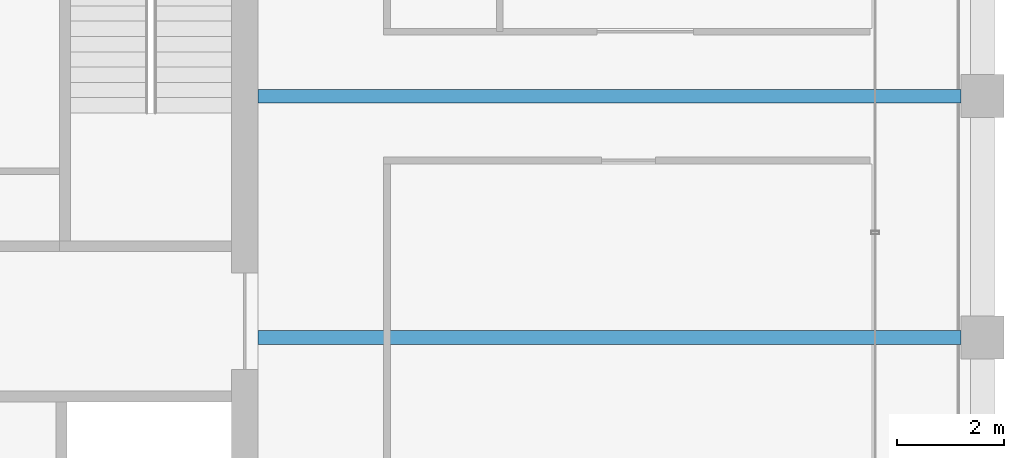
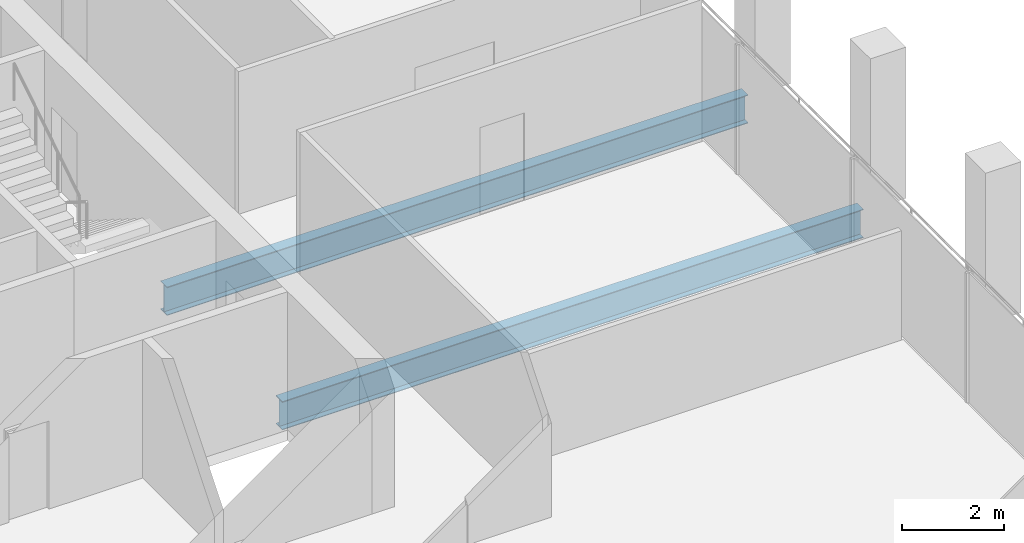
# One storey, part 16 of 30: 2 beams.
"""IFC4 building model written with IfcOpenShell, lengths in metres."""

from ifc_helpers import new_model, si_unit, direction, frame, origin, origin_2d, place, context, subcontext, project, spatial, i_section, extrude, material, material_profile, profile_set, type_object, element, save


model = new_model("IFC4")

# Units and contexts
model_context = context("Model", 3, precision=1e-05, world=origin(), true_north=direction((0.0, 1.0)))
body_context = subcontext(model_context, "Body", "Model", "MODEL_VIEW")
ifc_project = project(units=[si_unit("LENGTHUNIT", "METRE"), si_unit("AREAUNIT", "SQUARE_METRE"), si_unit("VOLUMEUNIT", "CUBIC_METRE"), si_unit("PLANEANGLEUNIT", "RADIAN"), si_unit("MASSUNIT", "GRAM", prefix="KILO")], contexts=[model_context])

# Site, building, storey
site_placement = place(None, origin())
site = spatial("IfcSite", under=ifc_project, at=site_placement, CompositionType="ELEMENT")
building_placement = place(site_placement, origin())
building = spatial("IfcBuilding", under=site, at=building_placement, Name="Altepetl Exchange Towers", CompositionType="ELEMENT")
storey_placement = place(building_placement, frame((0.0, 0.0, 242.39990234375)))
storey = spatial("IfcBuildingStorey", under=building, at=storey_placement, Name="L62", CompositionType="ELEMENT", Elevation=242.39990234375)

# Beams
ifc_material = material(Name="Steel S355", Category="steel")
ifc_material_profile = material_profile(ifc_material, i_section(OverallWidth=0.2529296875, OverallDepth=0.677978515625, WebThickness=0.01171875, FlangeThickness=0.016357421875, at=origin_2d()), Name="W27X84")
ifc_profile_set = profile_set([ifc_material_profile], Name="Steel S355")
beam_type = type_object("IfcBeamType", Name="Floor beam W27X84", PredefinedType="BEAM", material=ifc_profile_set)
for number, where, z_axis, x_axis, name in (
    (1, (58.5, 45.0, -0.489013671875), (1.0, 0.0, 0.0), (0.0, 1.0, 0.0), "bm:A:L62:009"),
    (2, (58.5, 49.5, -0.489013671875), (1.0, 0.0, 0.0), (0.0, 1.0, 0.0), "bm:A:L62:010"),
):
    element("IfcBeam", number, at=place(storey_placement, frame(where, z_axis=z_axis, x_axis=x_axis)), inside=storey, type_object=beam_type, Name=name, PredefinedType="BEAM", context=body_context, shape_type="SweptSolid", body=[
        extrude(i_section(OverallWidth=0.2529296875, OverallDepth=0.677978515625, WebThickness=0.01171875, FlangeThickness=0.016357421875, at=origin_2d()), origin(), (0.0, 0.0, 1.0), 13.10009765625),
    ])

save(model, "model.ifc")
